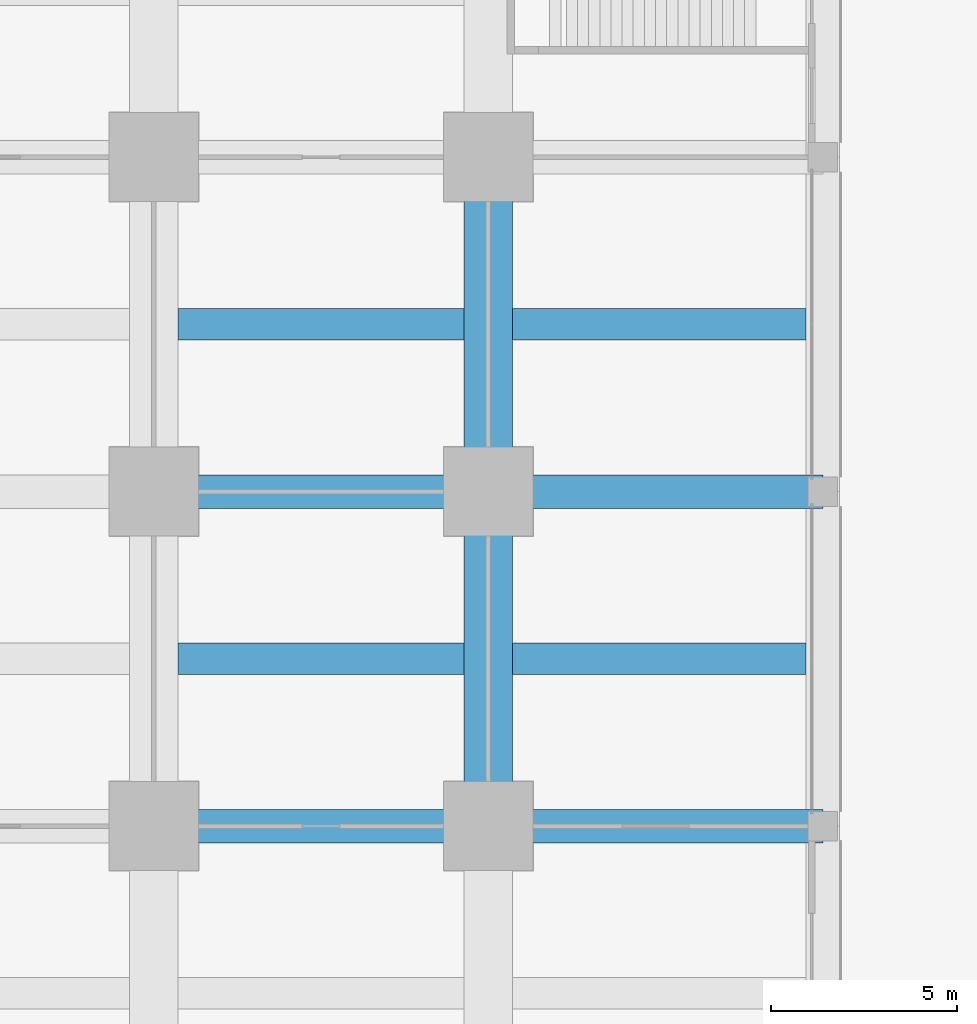
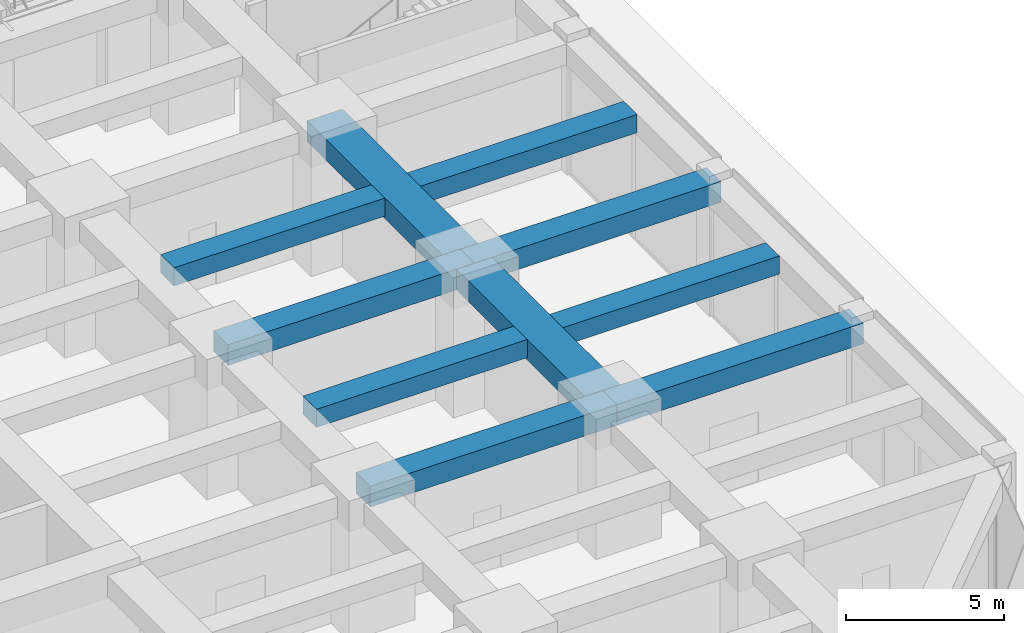
# One storey, part 32 of 56: 10 beams.
"""IFC4 building model written with IfcOpenShell, lengths in metres."""

from ifc_helpers import new_model, si_unit, direction, frame, origin, origin_2d, place, context, subcontext, project, spatial, rectangle, extrude, material, material_profile, profile_set, type_object, element, save


model = new_model("IFC4")

# Units and contexts
model_context = context("Model", 3, precision=1e-05, world=origin(), true_north=direction((0.0, 1.0)))
body_context = subcontext(model_context, "Body", "Model", "MODEL_VIEW")
ifc_project = project(units=[si_unit("LENGTHUNIT", "METRE"), si_unit("AREAUNIT", "SQUARE_METRE"), si_unit("VOLUMEUNIT", "CUBIC_METRE"), si_unit("PLANEANGLEUNIT", "RADIAN"), si_unit("MASSUNIT", "GRAM", prefix="KILO")], contexts=[model_context])

# Site, building, storey
site_placement = place(None, origin())
site = spatial("IfcSite", under=ifc_project, at=site_placement, CompositionType="ELEMENT")
building_placement = place(site_placement, origin())
building = spatial("IfcBuilding", under=site, at=building_placement, Name="Zorevar Civic Tower", CompositionType="ELEMENT")
storey_placement = place(building_placement, origin())
storey = spatial("IfcBuildingStorey", under=building, at=storey_placement, Name="L00", CompositionType="ELEMENT", Elevation=0.0)

# Beams
ifc_material_1 = material(Name="Concrete C50/60", Category="concrete")
ifc_material_profile_1 = material_profile(ifc_material_1, rectangle(XDim=1.300048828125, YDim=0.800048828125, at=origin_2d()), Name="RC 1300x800")
ifc_profile_set_1 = profile_set([ifc_material_profile_1], Name="Concrete C50/60")
beam_type_1 = type_object("IfcBeamType", Name="Beam RC 1300x800", PredefinedType="BEAM", material=ifc_profile_set_1)
for number, where, z_axis, x_axis, name in (
    (1, (63.0, 18.0, 4.699951171875), (0.0, 1.0, 0.0), (-1.0, 0.0, 0.0), "Girder L01"),
    (2, (63.0, 27.0, 4.699951171875), (0.0, 1.0, 0.0), (-1.0, 0.0, 0.0), "Girder L01"),
):
    element("IfcBeam", number, at=place(storey_placement, frame(where, z_axis=z_axis, x_axis=x_axis)), inside=storey, type_object=beam_type_1, Name=name, PredefinedType="BEAM", context=body_context, shape_type="SweptSolid", body=[
        extrude(rectangle(XDim=1.300048828125, YDim=0.800048828125, at=origin_2d()), origin(), (0.0, 0.0, 1.0), 9.0),
    ])
ifc_material_2 = material(Name="Concrete C50/60", Category="concrete")
ifc_material_profile_2 = material_profile(ifc_material_2, rectangle(XDim=0.85009765625, YDim=0.699951171875, at=origin_2d()), Name="RC 850x700")
ifc_profile_set_2 = profile_set([ifc_material_profile_2], Name="Concrete C50/60")
beam_type_2 = type_object("IfcBeamType", Name="Beam RC 850x700", PredefinedType="BEAM", material=ifc_profile_set_2)
beam_1_placement = place(storey_placement, frame((54.64990234375, 22.5, 4.75), z_axis=(1.0, 0.0, 0.0), x_axis=(0.0, 1.0, 0.0)))
element("IfcBeam", 3, at=beam_1_placement, inside=storey, type_object=beam_type_2, Name="Secondary beam L01", PredefinedType="BEAM", context=body_context, shape_type="SweptSolid", body=[
    extrude(rectangle(XDim=0.85009765625, YDim=0.699951171875, at=origin_2d()), origin(), (0.0, 0.0, 1.0), 7.7001953125),
])
beam_2_placement = place(storey_placement, frame((63.64990234375, 22.5, 4.75), z_axis=(1.0, 0.0, 0.0), x_axis=(0.0, 1.0, 0.0)))
element("IfcBeam", 4, at=beam_2_placement, inside=storey, type_object=beam_type_2, Name="Secondary beam L01", PredefinedType="BEAM", context=body_context, shape_type="SweptSolid", body=[
    extrude(rectangle(XDim=0.85009765625, YDim=0.699951171875, at=origin_2d()), origin(), (0.0, 0.0, 1.0), 7.900146484375),
])
beam_3_placement = place(storey_placement, frame((54.64990234375, 31.5, 4.75), z_axis=(1.0, 0.0, 0.0), x_axis=(0.0, 1.0, 0.0)))
element("IfcBeam", 5, at=beam_3_placement, inside=storey, type_object=beam_type_2, Name="Secondary beam L01", PredefinedType="BEAM", context=body_context, shape_type="SweptSolid", body=[
    extrude(rectangle(XDim=0.85009765625, YDim=0.699951171875, at=origin_2d()), origin(), (0.0, 0.0, 1.0), 7.7001953125),
])
beam_4_placement = place(storey_placement, frame((63.64990234375, 31.5, 4.75), z_axis=(1.0, 0.0, 0.0), x_axis=(0.0, 1.0, 0.0)))
element("IfcBeam", 6, at=beam_4_placement, inside=storey, type_object=beam_type_2, Name="Secondary beam L01", PredefinedType="BEAM", context=body_context, shape_type="SweptSolid", body=[
    extrude(rectangle(XDim=0.85009765625, YDim=0.699951171875, at=origin_2d()), origin(), (0.0, 0.0, 1.0), 7.900146484375),
])
ifc_material_3 = material(Name="Concrete C50/60", Category="concrete")
ifc_material_profile_3 = material_profile(ifc_material_3, rectangle(XDim=0.89990234375, YDim=0.800048828125, at=origin_2d()), Name="RC 900x800")
ifc_profile_set_3 = profile_set([ifc_material_profile_3], Name="Concrete C50/60")
beam_type_3 = type_object("IfcBeamType", Name="Beam RC 900x800", PredefinedType="BEAM", material=ifc_profile_set_3)
for number, where, z_axis, x_axis, name in (
    (7, (54.0, 18.0, 4.699951171875), (1.0, 0.0, 0.0), (0.0, 1.0, 0.0), "Girder L01"),
    (8, (63.0, 18.0, 4.699951171875), (1.0, 0.0, 0.0), (0.0, 1.0, 0.0), "Girder L01"),
    (9, (54.0, 27.0, 4.699951171875), (1.0, 0.0, 0.0), (0.0, 1.0, 0.0), "Girder L01"),
    (10, (63.0, 27.0, 4.699951171875), (1.0, 0.0, 0.0), (0.0, 1.0, 0.0), "Girder L01"),
):
    element("IfcBeam", number, at=place(storey_placement, frame(where, z_axis=z_axis, x_axis=x_axis)), inside=storey, type_object=beam_type_3, Name=name, PredefinedType="BEAM", context=body_context, shape_type="SweptSolid", body=[
        extrude(rectangle(XDim=0.89990234375, YDim=0.800048828125, at=origin_2d()), origin(), (0.0, 0.0, 1.0), 9.0),
    ])

save(model, "model.ifc")
